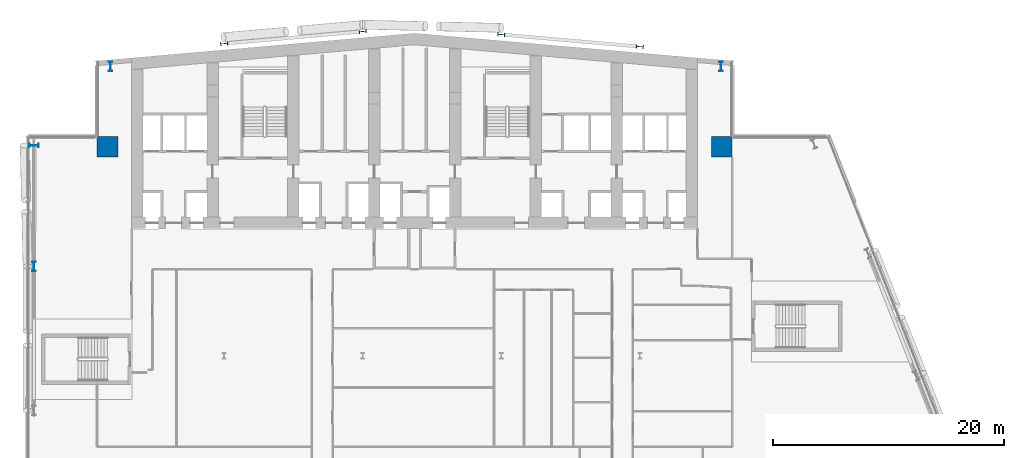
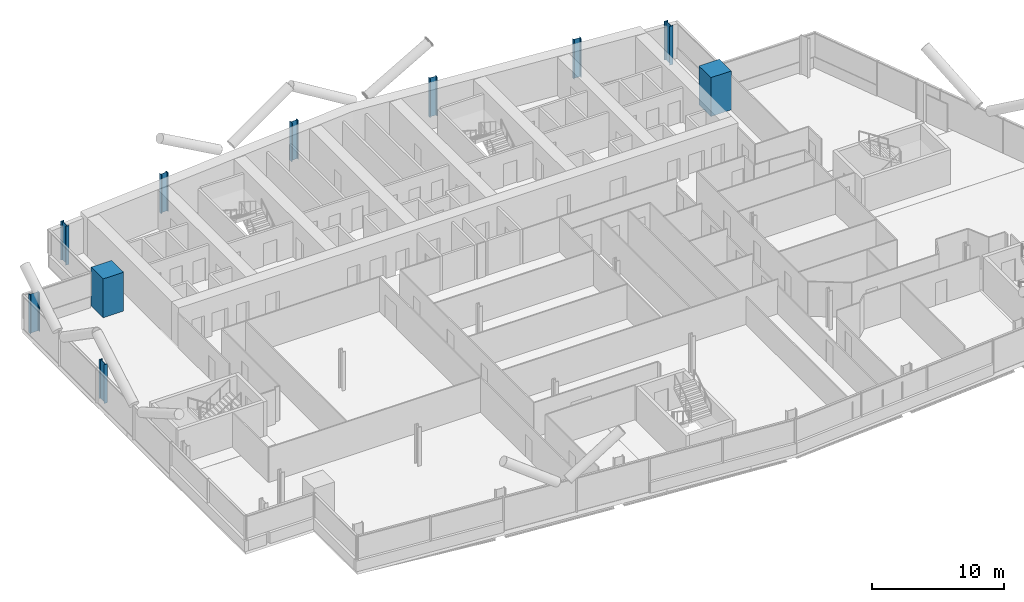
# One storey, part 3 of 27: 10 columns.
"""IFC4 building model written with IfcOpenShell, lengths in metres."""

import ifcopenshell
import ifcopenshell.guid

model = None  # the IFC model being written
_history = None  # IfcOwnerHistory: only IFC2X3 demands one
_inside = {}  # id of a spatial element -> (the spatial element, [elements in it])
_under = {}  # id of a project, library or spatial element -> (it, [spatial elements below it])
_declared = {}  # id of a project -> (the project, [libraries it declares])
_typed = {}  # id of a type object -> (the type object, [elements of that type])
_made_of = {}  # id of a material, layer set ... -> (it, [elements and type objects made of it])


def new_model(schema):
    """Start an empty IFC model of exactly this schema.

    Asked for "IFC4X3", IfcOpenShell would pick the latest addendum, in which some entities
    have other attributes; the version numbers below select the first issue.
    IFC2X3 requires an IfcOwnerHistory on every rooted entity: one is made here for all.
    """
    global model, _history
    if schema == "IFC4X3":
        model = ifcopenshell.file(schema_version=(4, 3, 0, 0))
    else:
        model = ifcopenshell.file(schema=schema)
    _inside.clear()
    _under.clear()
    _declared.clear()
    _typed.clear()
    _made_of.clear()
    _history = None
    if model.schema == "IFC2X3":
        org = make("IfcOrganization", Name="unknown")
        user = make(
            "IfcPersonAndOrganization",
            ThePerson=make("IfcPerson", FamilyName="unknown"),
            TheOrganization=org,
        )
        app = make(
            "IfcApplication",
            ApplicationDeveloper=org,
            Version="unknown",
            ApplicationFullName="unknown",
            ApplicationIdentifier="unknown",
        )
        _history = make(
            "IfcOwnerHistory",
            OwningUser=user,
            OwningApplication=app,
            ChangeAction="ADDED",
            CreationDate=0,
        )
    return model


def make(cls, **values):
    """One entity of the class cls with the attributes given. An attribute that is None is left unset."""
    return model.create_entity(
        cls, **{name: value for name, value in values.items() if value is not None}
    )


def rooted(cls, **values):
    """An entity with a GlobalId (a new one), such as an element, a storey or a relation."""
    return make(cls, GlobalId=ifcopenshell.guid.new(), OwnerHistory=_history, **values)


def si_unit(unit_type, name, prefix=None):
    """IfcSIUnit, for example si_unit("LENGTHUNIT", "METRE", prefix="MILLI")."""
    return make("IfcSIUnit", UnitType=unit_type, Prefix=prefix, Name=name)


def assignment(units):
    """IfcUnitAssignment: the units of a project."""
    return None if units is None else make("IfcUnitAssignment", Units=units)


def point(xyz):
    """IfcCartesianPoint."""
    return None if xyz is None else make("IfcCartesianPoint", Coordinates=xyz)


def direction(xyz):
    """IfcDirection."""
    return None if xyz is None else make("IfcDirection", DirectionRatios=xyz)


def frame(location, z_axis=None, x_axis=None):
    """IfcAxis2Placement3D, a coordinate frame: its origin and axes. An axis left out is left unset."""
    return make(
        "IfcAxis2Placement3D",
        Location=point(location),
        Axis=direction(z_axis),
        RefDirection=direction(x_axis),
    )


def frame_2d(location, x_axis=None):
    """IfcAxis2Placement2D, a coordinate frame in the plane: its origin and x axis."""
    return make(
        "IfcAxis2Placement2D", Location=point(location), RefDirection=direction(x_axis)
    )


def origin():
    """The frame at (0, 0, 0) with its axes left unset."""
    return frame((0.0, 0.0, 0.0))


def origin_2d():
    """The frame at (0, 0) in the plane with its x axis left unset."""
    return frame_2d((0.0, 0.0))


def place(relative_to, where):
    """IfcLocalPlacement: puts the frame where relative to a parent placement (None: the world)."""
    return make(
        "IfcLocalPlacement", PlacementRelTo=relative_to, RelativePlacement=where
    )


def context(
    kind, dimensions, precision=None, world=None, true_north=None, identifier=None
):
    """IfcGeometricRepresentationContext, for example the 3D "Model" context."""
    return make(
        "IfcGeometricRepresentationContext",
        ContextIdentifier=identifier,
        ContextType=kind,
        CoordinateSpaceDimension=dimensions,
        Precision=precision,
        WorldCoordinateSystem=world,
        TrueNorth=true_north,
    )


def subcontext(parent, identifier, kind, view, scale=None):
    """IfcGeometricRepresentationSubContext, for example "Body" below "Model"."""
    return make(
        "IfcGeometricRepresentationSubContext",
        ContextIdentifier=identifier,
        ContextType=kind,
        ParentContext=parent,
        TargetScale=scale,
        TargetView=view,
    )


def project(units=None, contexts=None):
    """IfcProject with its units and contexts."""
    return rooted(
        "IfcProject",
        Name="project",
        RepresentationContexts=contexts,
        UnitsInContext=assignment(units),
    )


def spatial(cls, under=None, at=None, **own):
    """A site, building, storey or space (cls), placed at a placement, below another one or the project."""
    s = rooted(cls, ObjectPlacement=at, **own)
    if under is not None:
        _under.setdefault(under.id(), (under, []))[1].append(s)
    return s


def profile(cls, at=None, kind="AREA", **sizes):
    """A parametric profile (cls). Its sizes go by their IFC names, for example OverallWidth=200.0."""
    return make(cls, ProfileType=kind, Position=at, **sizes)


def rectangle(**sizes):
    """IfcRectangleProfileDef."""
    return profile("IfcRectangleProfileDef", **sizes)


def i_section(**sizes):
    """IfcIShapeProfileDef."""
    return profile("IfcIShapeProfileDef", **sizes)


def extrude(swept, where, along, depth):
    """IfcExtrudedAreaSolid: the profile swept, set in the frame where, extruded along a direction by depth."""
    return make(
        "IfcExtrudedAreaSolid",
        SweptArea=swept,
        Position=where,
        ExtrudedDirection=direction(along),
        Depth=depth,
    )


def shape(context_of_items, identifier, shape_type, items):
    """IfcShapeRepresentation: the items that make up one representation, for example the "Body"."""
    return make(
        "IfcShapeRepresentation",
        ContextOfItems=context_of_items,
        RepresentationIdentifier=identifier,
        RepresentationType=shape_type,
        Items=items,
    )


def material(Name=None, Category=None):
    """IfcMaterial."""
    return make("IfcMaterial", Name=Name, Category=Category)


def material_profile(
    of_material, cross_section, Name=None, Category=None, Priority=None
):
    """IfcMaterialProfile: a cross section and its material."""
    return make(
        "IfcMaterialProfile",
        Name=Name,
        Material=of_material,
        Profile=cross_section,
        Priority=Priority,
        Category=Category,
    )


def profile_set(profiles, Name=None, composite=None):
    """IfcMaterialProfileSet."""
    return make(
        "IfcMaterialProfileSet",
        Name=Name,
        MaterialProfiles=profiles,
        CompositeProfile=composite,
    )


def made_of(thing, what):
    """Note that an element or type object is made of a material, layer set ...; save() writes the relation."""
    if what is not None:
        _made_of.setdefault(what.id(), (what, []))[1].append(thing)
    return thing


def type_object(cls, material=None, **own):
    """A type object (cls), such as IfcWallType, which elements share."""
    return made_of(rooted(cls, **own), material)


def element(
    cls,
    number,
    at=None,
    inside=None,
    cuts=None,
    type_object=None,
    material=None,
    context=None,
    identifier="Body",
    shape_type=None,
    held_by="IfcProductDefinitionShape",
    body=None,
    shapes=None,
    **own,
):
    """One element of the class cls, such as IfcWall. Its Tag is "e" and its number.

    at: its placement. inside: the storey or other place that contains it. cuts: it is an
    opening in that element (IfcRelVoidsElement). A single representation is given by context,
    identifier, shape_type and body (its items); several are given by shapes. held_by: the class
    of the entity that holds the representations. save() writes the other relations.
    """
    e = rooted(cls, Tag="e%d" % number, ObjectPlacement=at, **own)
    if body is not None:
        shapes = [shape(context, identifier, shape_type, body)]
    if shapes is not None:
        e.Representation = make(held_by, Representations=shapes)
    if inside is not None:
        _inside.setdefault(inside.id(), (inside, []))[1].append(e)
    if cuts is not None:
        rooted(
            "IfcRelVoidsElement", RelatingBuildingElement=cuts, RelatedOpeningElement=e
        )
    if type_object is not None:
        _typed.setdefault(type_object.id(), (type_object, []))[1].append(e)
    return made_of(e, material)


def aggregate(whole, parts):
    """IfcRelAggregates: a whole, such as a stair, and the parts it consists of."""
    return rooted("IfcRelAggregates", RelatingObject=whole, RelatedObjects=parts)


def save(model, path):
    """Write the relations noted so far, then the file.

    IfcRelAggregates (storeys below a building ...), IfcRelContainedInSpatialStructure (elements
    in a storey), IfcRelDefinesByType, IfcRelAssociatesMaterial and IfcRelDeclares: one each for
    every whole, place, type object, material and project.
    """
    for whole, parts in _under.values():
        aggregate(whole, parts)
    for where, things in _inside.values():
        rooted(
            "IfcRelContainedInSpatialStructure",
            RelatedElements=things,
            RelatingStructure=where,
        )
    for kind, things in _typed.values():
        rooted("IfcRelDefinesByType", RelatedObjects=things, RelatingType=kind)
    for what, things in _made_of.values():
        rooted("IfcRelAssociatesMaterial", RelatedObjects=things, RelatingMaterial=what)
    for by, libraries in _declared.values():
        rooted("IfcRelDeclares", RelatingContext=by, RelatedDefinitions=libraries)
    model.write(path)


model = new_model("IFC4")

# Units and contexts
model_context = context("Model", 3, precision=1e-05, world=origin(), true_north=direction((0.0, 1.0)))
body_context = subcontext(model_context, "Body", "Model", "MODEL_VIEW")
ifc_project = project(units=[si_unit("LENGTHUNIT", "METRE"), si_unit("AREAUNIT", "SQUARE_METRE"), si_unit("VOLUMEUNIT", "CUBIC_METRE"), si_unit("PLANEANGLEUNIT", "RADIAN"), si_unit("MASSUNIT", "GRAM", prefix="KILO")], contexts=[model_context])

# Site, building, storey
site_placement = place(None, origin())
site = spatial("IfcSite", under=ifc_project, at=site_placement, CompositionType="ELEMENT")
building_placement = place(site_placement, origin())
building = spatial("IfcBuilding", under=site, at=building_placement, Name="Wharfspan Tower", CompositionType="ELEMENT")
storey_placement = place(building_placement, frame((0.0, 0.0, 118.300049)))
storey = spatial("IfcBuildingStorey", under=building, at=storey_placement, Name="L27", CompositionType="ELEMENT", Elevation=118.300049)

# Columns
ifc_material_1 = material(Name="Steel S355J2", Category="steel")
ifc_material_profile_1 = material_profile(ifc_material_1, i_section(OverallWidth=0.304932, OverallDepth=0.620117, WebThickness=0.020996, FlangeThickness=0.040039, FilletRadius=0.0271, at=origin_2d()))
ifc_profile_set_1 = profile_set([ifc_material_profile_1], Name="Steel S355J2")
column_type_1 = type_object("IfcColumnType", Name="Column HEM 600", PredefinedType="COLUMN", material=ifc_profile_set_1)
for number, where, z_axis, x_axis, name in (
    (1, (24.0, 50.027344, 0.0), (0.0, 0.0, 1.0), (-0.087156, 0.996198, 0.0), "Rear column R.1 L27"),
    (2, (36.0, 51.077148, 0.0), (0.0, 0.0, 1.0), (-0.087156, 0.996198, 0.0), "Rear column R.2 L27"),
    (3, (48.0, 50.814697, 0.0), (0.0, 0.0, 1.0), (0.087156, 0.996198, 0.0), "Rear column R.3 L27"),
    (4, (60.0, 49.764893, 0.0), (0.0, 0.0, 1.0), (0.087156, 0.996198, 0.0), "Rear column R.4 L27"),
):
    element("IfcColumn", number, at=place(storey_placement, frame(where, z_axis=z_axis, x_axis=x_axis)), inside=storey, type_object=column_type_1, Name=name, PredefinedType="COLUMN", context=body_context, shape_type="SweptSolid", body=[
        extrude(i_section(OverallWidth=0.304932, OverallDepth=0.620117, WebThickness=0.020996, FlangeThickness=0.040039, FilletRadius=0.0271, at=origin_2d()), origin(), (0.0, 0.0, 1.0), 3.599854),
    ])
ifc_material_profile_2 = material_profile(ifc_material_1, i_section(OverallWidth=0.302979, OverallDepth=0.813965, WebThickness=0.020996, FlangeThickness=0.040039, FilletRadius=0.030029, at=origin_2d()))
ifc_profile_set_2 = profile_set([ifc_material_profile_2], Name="Steel S355J2")
column_type_2 = type_object("IfcColumnType", Name="Column HEM 800", PredefinedType="COLUMN", material=ifc_profile_set_2)
for number, where, z_axis, x_axis, name in (
    (5, (67.031982, 48.035645, 0.0), (0.0, 0.0, 1.0), (1.0, 0.0, 0.0), "Perimeter column PNRE-V.1 L27"),
    (6, (14.171631, 48.03418, 0.0), (0.0, 0.0, 1.0), (-1.0, 0.0, 0.0), "Perimeter column PNRW-V.1 L27"),
    (7, (7.544434, 41.208008, 0.0), (0.0, 0.0, 1.0), (0.0, 1.0, 0.0), "Perimeter column PNRW-H.1 L27"),
    (8, (7.540039, 30.733398, 0.0), (0.0, 0.0, 1.0), (-1.0, 0.0, 0.0), "Perimeter column PW.1 L27"),
):
    element("IfcColumn", number, at=place(storey_placement, frame(where, z_axis=z_axis, x_axis=x_axis)), inside=storey, type_object=column_type_2, Name=name, PredefinedType="COLUMN", context=body_context, shape_type="SweptSolid", body=[
        extrude(i_section(OverallWidth=0.302979, OverallDepth=0.813965, WebThickness=0.020996, FlangeThickness=0.040039, FilletRadius=0.030029, at=origin_2d()), origin(), (0.0, 0.0, 1.0), 3.599854),
    ])
ifc_material_2 = material(Name="Concrete C70/85", Category="concrete")
ifc_material_profile_3 = material_profile(ifc_material_2, rectangle(XDim=1.800049, YDim=1.800049, at=origin_2d()))
ifc_profile_set_3 = profile_set([ifc_material_profile_3], Name="Concrete C70/85")
column_type_3 = type_object("IfcColumnType", Name="Mega column 1800 C70/85", PredefinedType="COLUMN", material=ifc_profile_set_3)
for number, where, z_axis, x_axis, name in (
    (9, (13.899902, 41.100098, 0.0), (0.0, 0.0, 1.0), (1.0, 0.0, 0.0), "Mega column MC2 L27"),
    (10, (67.100098, 41.100098, 0.0), (0.0, 0.0, 1.0), (1.0, 0.0, 0.0), "Mega column MC3 L27"),
):
    element("IfcColumn", number, at=place(storey_placement, frame(where, z_axis=z_axis, x_axis=x_axis)), inside=storey, type_object=column_type_3, Name=name, PredefinedType="COLUMN", context=body_context, shape_type="SweptSolid", body=[
        extrude(rectangle(XDim=1.800049, YDim=1.800049, at=origin_2d()), origin(), (0.0, 0.0, 1.0), 3.599854),
    ])

save(model, "model.ifc")
